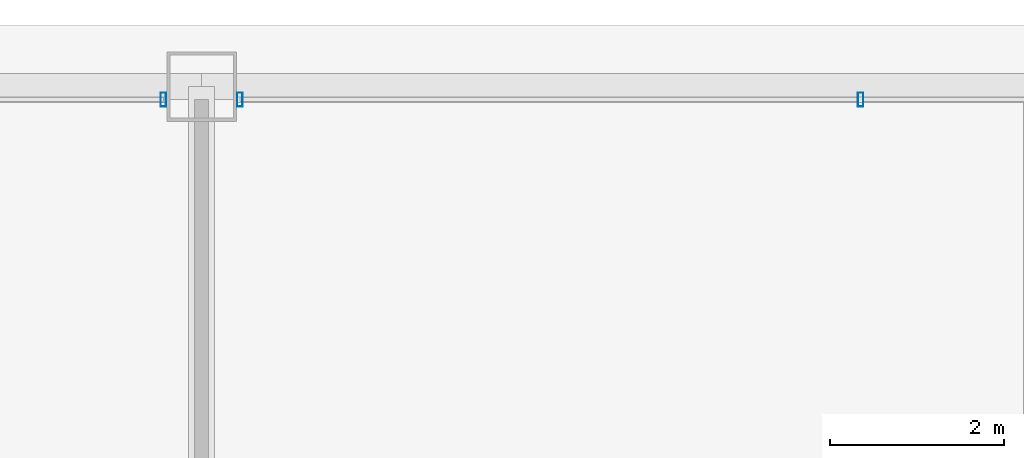
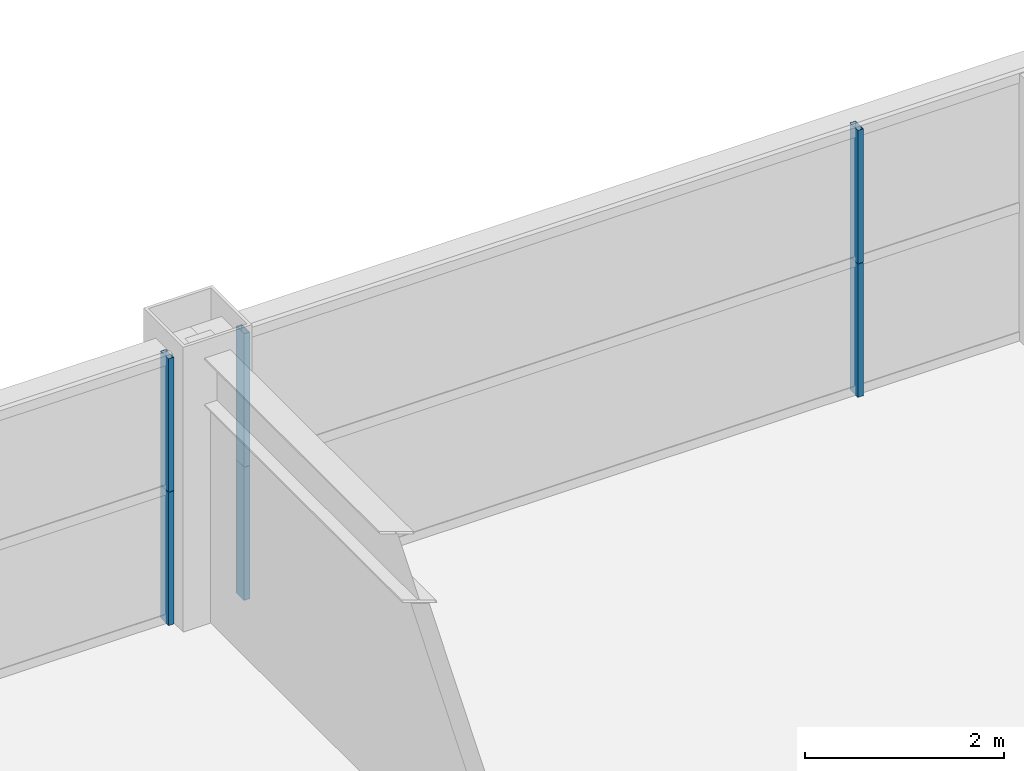
# One storey, part 29 of 38: 6 members, 2 elements without a shape of their own.
"""IFC4 building model written with IfcOpenShell, lengths in metres."""

from ifc_helpers import new_model, si_unit, direction, frame, origin, origin_2d, place, context, subcontext, project, spatial, hollow_rectangle, extrude, source, transform, mapped, material, layer, layer_set, material_profile, profile_set, type_object, element, aggregate, save


model = new_model("IFC4")

# Units and contexts
model_context = context("Model", 3, precision=1e-05, world=origin(), true_north=direction((0.0, 1.0)))
body_context = subcontext(model_context, "Body", "Model", "MODEL_VIEW")
ifc_project = project(units=[si_unit("LENGTHUNIT", "METRE"), si_unit("AREAUNIT", "SQUARE_METRE"), si_unit("VOLUMEUNIT", "CUBIC_METRE"), si_unit("PLANEANGLEUNIT", "RADIAN"), si_unit("MASSUNIT", "GRAM", prefix="KILO"), si_unit("THERMODYNAMICTEMPERATUREUNIT", "KELVIN"), si_unit("POWERUNIT", "WATT")], contexts=[model_context])

# Site, building, storey
site_placement = place(None, origin())
site = spatial("IfcSite", under=ifc_project, at=site_placement, CompositionType="ELEMENT")
building_placement = place(site_placement, origin())
building = spatial("IfcBuilding", under=site, at=building_placement, Name="Yuzanri Waterfront Tower", CompositionType="ELEMENT")
storey_placement = place(building_placement, frame((0.0, 0.0, 188.0)))
storey = spatial("IfcBuildingStorey", under=building, at=storey_placement, Name="L49", CompositionType="ELEMENT", Elevation=188.0)

# Curtain wall, members
ifc_material_1 = material(Name="Anodized Architectural Bronze", Category="metal")
ifc_layer = layer(ifc_material_1, 0.159912109375)
ifc_layer_set = layer_set([ifc_layer], Name="Anodized Architectural Bronze")
curtain_wall_type = type_object("IfcCurtainWallType", Name="Anodized Bronze Mid-Rise Residential Acoustic Unitized Curtain Wall 7200", PredefinedType="NOTDEFINED", material=ifc_layer_set)
curtain_wall_1_placement = place(storey_placement, origin())
curtain_wall_1 = element("IfcCurtainWall", 1, at=curtain_wall_1_placement, inside=storey, type_object=curtain_wall_type, Name="L49 Curtain Wall CW-L49-NL", PredefinedType="NOTDEFINED")
ifc_material_2 = material(Name="Anodized Architectural Bronze", Category="metal")
ifc_material_profile = material_profile(ifc_material_2, hollow_rectangle(XDim=0.06494140625, YDim=0.159912109375, WallThickness=0.00341796875, at=origin_2d()), Name="CWM 65x160")
ifc_profile_set = profile_set([ifc_material_profile], Name="Anodized Architectural Bronze")
member_type = type_object("IfcMemberType", Name="Anodized Bronze Upper-Zone Curtain-Wall Mullion 65x160", PredefinedType="MULLION", material=ifc_profile_set)
shared_shape = source(origin(), body_context, "Body", "SweptSolid", [
    extrude(hollow_rectangle(XDim=0.06494140625, YDim=0.159912109375, WallThickness=0.00341796875, at=origin_2d()), origin(), (0.0, 0.0, 1.0), 1.637939453125),
])
member_1_placement = place(storey_placement, frame((36.56005859375, 47.75, 0.0), z_axis=(0.0, 0.0, 1.0), x_axis=(1.0, 0.0, 0.0)))
member_1 = element("IfcMember", 2, at=member_1_placement, type_object=member_type, Name="CW-L49-NL Lower Mullion 02", PredefinedType="MULLION", context=body_context, shape_type="MappedRepresentation", body=[
    mapped(shared_shape, transform((0.0, 0.0, 0.0), scale=1.0)),
])
member_2_placement = place(storey_placement, frame((36.56005859375, 47.75, 1.64208984375), z_axis=(0.0, 0.0, 1.0), x_axis=(1.0, 0.0, 0.0)))
member_2 = element("IfcMember", 3, at=member_2_placement, type_object=member_type, Name="CW-L49-NL Upper Mullion 02", PredefinedType="MULLION", context=body_context, shape_type="MappedRepresentation", body=[
    mapped(shared_shape, transform((0.0, 0.0, 0.0), scale=1.0)),
])
aggregate(curtain_wall_1, [member_1, member_2])

curtain_wall_2_placement = place(storey_placement, origin())
curtain_wall_2 = element("IfcCurtainWall", 4, at=curtain_wall_2_placement, inside=storey, type_object=curtain_wall_type, Name="L49 Curtain Wall CW-L49-NR", PredefinedType="NOTDEFINED")
member_3_placement = place(storey_placement, frame((37.43994140625, 47.75, 0.0), z_axis=(0.0, 0.0, 1.0), x_axis=(1.0, 0.0, 0.0)))
member_3 = element("IfcMember", 5, at=member_3_placement, type_object=member_type, Name="CW-L49-NR Lower Mullion 00", PredefinedType="MULLION", context=body_context, shape_type="MappedRepresentation", body=[
    mapped(shared_shape, transform((0.0, 0.0, 0.0), scale=1.0)),
])
member_4_placement = place(storey_placement, frame((37.43994140625, 47.75, 1.64208984375), z_axis=(0.0, 0.0, 1.0), x_axis=(1.0, 0.0, 0.0)))
member_4 = element("IfcMember", 6, at=member_4_placement, type_object=member_type, Name="CW-L49-NR Upper Mullion 00", PredefinedType="MULLION", context=body_context, shape_type="MappedRepresentation", body=[
    mapped(shared_shape, transform((0.0, 0.0, 0.0), scale=1.0)),
])
member_5_placement = place(storey_placement, frame((44.574951171875, 47.75, 0.0), z_axis=(0.0, 0.0, 1.0), x_axis=(1.0, 0.0, 0.0)))
member_5 = element("IfcMember", 7, at=member_5_placement, type_object=member_type, Name="CW-L49-NR Lower Mullion 01", PredefinedType="MULLION", context=body_context, shape_type="MappedRepresentation", body=[
    mapped(shared_shape, transform((0.0, 0.0, 0.0), scale=1.0)),
])
member_6_placement = place(storey_placement, frame((44.574951171875, 47.75, 1.64208984375), z_axis=(0.0, 0.0, 1.0), x_axis=(1.0, 0.0, 0.0)))
member_6 = element("IfcMember", 8, at=member_6_placement, type_object=member_type, Name="CW-L49-NR Upper Mullion 01", PredefinedType="MULLION", context=body_context, shape_type="MappedRepresentation", body=[
    mapped(shared_shape, transform((0.0, 0.0, 0.0), scale=1.0)),
])
aggregate(curtain_wall_2, [member_3, member_4, member_5, member_6])

save(model, "model.ifc")
